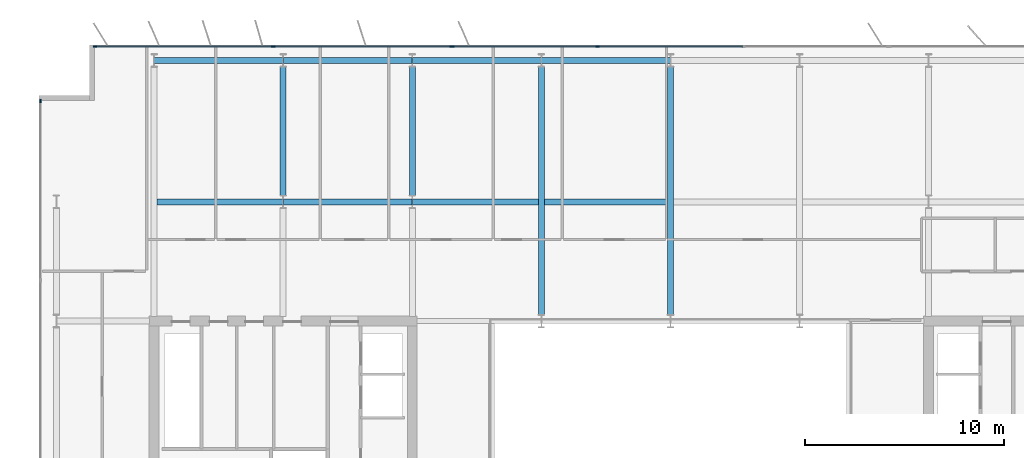
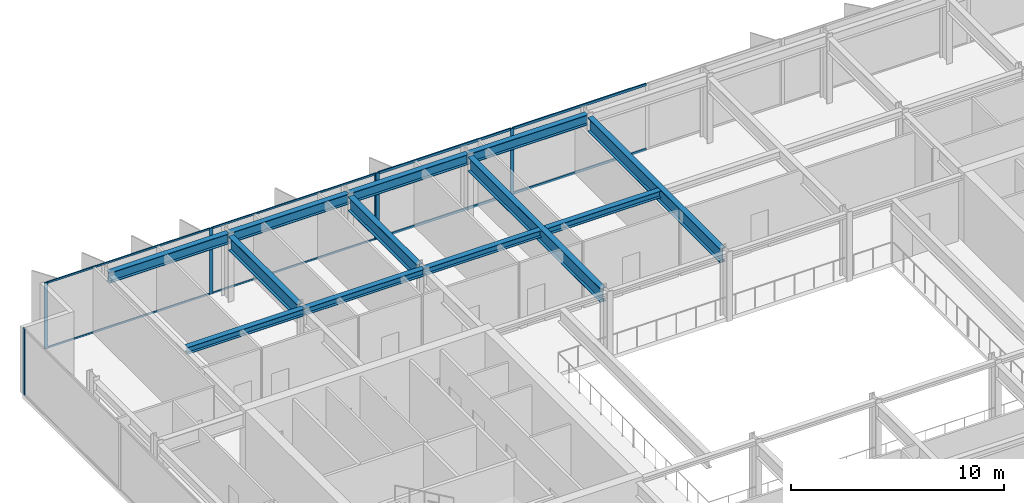
# One storey, part 8 of 20: 14 members, 12 beams, 3 elements without a shape of their own.
"""IFC4 building model written with IfcOpenShell, lengths in metres."""

from ifc_helpers import new_model, si_unit, direction, frame, origin, origin_2d, place, context, subcontext, project, spatial, rectangle, i_section, extrude, material, layer, layer_set, material_profile, profile_set, type_object, element, aggregate, save


model = new_model("IFC4")

# Units and contexts
model_context = context("Model", 3, precision=1e-05, world=origin(), true_north=direction((0.0, 1.0)))
body_context = subcontext(model_context, "Body", "Model", "MODEL_VIEW")
ifc_project = project(units=[si_unit("LENGTHUNIT", "METRE"), si_unit("AREAUNIT", "SQUARE_METRE"), si_unit("VOLUMEUNIT", "CUBIC_METRE"), si_unit("PLANEANGLEUNIT", "RADIAN"), si_unit("MASSUNIT", "GRAM", prefix="KILO")], contexts=[model_context])

# Site, building, storey
site_placement = place(None, origin())
site = spatial("IfcSite", under=ifc_project, at=site_placement, CompositionType="ELEMENT")
building_placement = place(site_placement, origin())
building = spatial("IfcBuilding", under=site, at=building_placement, Name="Putna Gate Headquarters", CompositionType="ELEMENT")
storey_placement = place(building_placement, frame((0.0, 0.0, 286.39990234375)))
storey = spatial("IfcBuildingStorey", under=building, at=storey_placement, Name="L72", CompositionType="ELEMENT", Elevation=286.39990234375)

# Beams
ifc_material_1 = material(Name="Steel S355J2", Category="steel")
ifc_material_profile_1 = material_profile(ifc_material_1, i_section(OverallWidth=0.300048828125, OverallDepth=0.800048828125, WebThickness=0.017578125, FlangeThickness=0.032958984375, at=origin_2d()), Name="Steel S355J2")
ifc_profile_set_1 = profile_set([ifc_material_profile_1], Name="Steel S355J2")
beam_type_1 = type_object("IfcBeamType", Name="BM-GIRD-P-HEB800", PredefinedType="USERDEFINED", material=ifc_profile_set_1)
for number, where, z_axis, x_axis, name in (
    (1, (19.5, 39.322021484375, 3.38818359375), (0.0, 1.0, 0.0), (-1.0, 0.0, 0.0), "L72 North Primary Girder X19-2"),
    (2, (26.0, 39.322021484375, 3.38818359375), (0.0, 1.0, 0.0), (-1.0, 0.0, 0.0), "L72 North Primary Girder X26-2"),
):
    element("IfcBeam", number, at=place(storey_placement, frame(where, z_axis=z_axis, x_axis=x_axis)), inside=storey, type_object=beam_type_1, Name=name, ObjectType="GIRDER", PredefinedType="USERDEFINED", context=body_context, shape_type="SweptSolid", body=[
        extrude(i_section(OverallWidth=0.300048828125, OverallDepth=0.800048828125, WebThickness=0.017578125, FlangeThickness=0.032958984375, at=origin_2d()), origin(), (0.0, 0.0, 1.0), 6.47607421875),
    ])
for number, where, z_axis, x_axis, name in (
    (3, (32.5, 33.322021484375, 3.38818359375), (0.0, 1.0, 0.0), (-1.0, 0.0, 0.0), "L72 North Primary Girder X32"),
    (4, (39.0, 33.322021484375, 3.38818359375), (0.0, 1.0, 0.0), (-1.0, 0.0, 0.0), "L72 North Primary Girder X39"),
):
    element("IfcBeam", number, at=place(storey_placement, frame(where, z_axis=z_axis, x_axis=x_axis)), inside=storey, type_object=beam_type_1, Name=name, ObjectType="GIRDER", PredefinedType="USERDEFINED", context=body_context, shape_type="SweptSolid", body=[
        extrude(i_section(OverallWidth=0.300048828125, OverallDepth=0.800048828125, WebThickness=0.017578125, FlangeThickness=0.032958984375, at=origin_2d()), origin(), (0.0, 0.0, 1.0), 12.47607421875),
    ])
ifc_material_profile_2 = material_profile(ifc_material_1, i_section(OverallWidth=0.300048828125, OverallDepth=0.389892578125, WebThickness=0.010986328125, FlangeThickness=0.01904296875, at=origin_2d()), Name="Steel S355J2")
ifc_profile_set_2 = profile_set([ifc_material_profile_2], Name="Steel S355J2")
beam_type_2 = type_object("IfcBeamType", Name="BM-SEC-Z5-HEA400", PredefinedType="BEAM", material=ifc_profile_set_2)
beam_1_placement = place(storey_placement, frame((13.154052734375, 39.0, 3.593017578125), z_axis=(1.0, 0.0, 0.0), x_axis=(0.0, 1.0, 0.0)))
element("IfcBeam", 5, at=beam_1_placement, inside=storey, type_object=beam_type_2, Name="L72 North Secondary Beam 1", PredefinedType="BEAM", context=body_context, shape_type="SweptSolid", body=[
    extrude(i_section(OverallWidth=0.300048828125, OverallDepth=0.389892578125, WebThickness=0.010986328125, FlangeThickness=0.01904296875, at=origin_2d()), origin(), (0.0, 0.0, 1.0), 6.33984375),
])
beam_2_placement = place(storey_placement, frame((19.506103515625, 39.0, 3.593017578125), z_axis=(1.0, 0.0, 0.0), x_axis=(0.0, 1.0, 0.0)))
element("IfcBeam", 6, at=beam_2_placement, inside=storey, type_object=beam_type_2, Name="L72 North Secondary Beam 2", PredefinedType="BEAM", context=body_context, shape_type="SweptSolid", body=[
    extrude(i_section(OverallWidth=0.300048828125, OverallDepth=0.389892578125, WebThickness=0.010986328125, FlangeThickness=0.01904296875, at=origin_2d()), origin(), (0.0, 0.0, 1.0), 6.48779296875),
])
beam_3_placement = place(storey_placement, frame((26.006103515625, 39.0, 3.593017578125), z_axis=(1.0, 0.0, 0.0), x_axis=(0.0, 1.0, 0.0)))
element("IfcBeam", 7, at=beam_3_placement, inside=storey, type_object=beam_type_2, Name="L72 North Secondary Beam 3", PredefinedType="BEAM", context=body_context, shape_type="SweptSolid", body=[
    extrude(i_section(OverallWidth=0.300048828125, OverallDepth=0.389892578125, WebThickness=0.010986328125, FlangeThickness=0.01904296875, at=origin_2d()), origin(), (0.0, 0.0, 1.0), 6.33984375),
])
beam_4_placement = place(storey_placement, frame((32.654052734375, 39.0, 3.593017578125), z_axis=(1.0, 0.0, 0.0), x_axis=(0.0, 1.0, 0.0)))
element("IfcBeam", 8, at=beam_4_placement, inside=storey, type_object=beam_type_2, Name="L72 North Secondary Beam 4", PredefinedType="BEAM", context=body_context, shape_type="SweptSolid", body=[
    extrude(i_section(OverallWidth=0.300048828125, OverallDepth=0.389892578125, WebThickness=0.010986328125, FlangeThickness=0.01904296875, at=origin_2d()), origin(), (0.0, 0.0, 1.0), 6.19189453125),
])
ifc_material_profile_3 = material_profile(ifc_material_1, i_section(OverallWidth=0.300048828125, OverallDepth=0.590087890625, WebThickness=0.012939453125, FlangeThickness=0.02490234375, at=origin_2d()), Name="Steel S355J2")
ifc_profile_set_3 = profile_set([ifc_material_profile_3], Name="Steel S355J2")
beam_type_3 = type_object("IfcBeamType", Name="BM-SPAN-Z4-HEA600", PredefinedType="SPANDREL", material=ifc_profile_set_3)
for number, where, z_axis, x_axis, name in (
    (9, (13.006103515625, 46.1201171875, 3.4931640625), (1.0, 0.0, 0.0), (0.0, 1.0, 0.0), "L72 N Perimeter Spandrel 1"),
    (10, (19.506103515625, 46.1201171875, 3.4931640625), (1.0, 0.0, 0.0), (0.0, 1.0, 0.0), "L72 N Perimeter Spandrel 2"),
    (11, (26.006103515625, 46.1201171875, 3.4931640625), (1.0, 0.0, 0.0), (0.0, 1.0, 0.0), "L72 N Perimeter Spandrel 3"),
    (12, (32.506103515625, 46.1201171875, 3.4931640625), (1.0, 0.0, 0.0), (0.0, 1.0, 0.0), "L72 N Perimeter Spandrel 4"),
):
    element("IfcBeam", number, at=place(storey_placement, frame(where, z_axis=z_axis, x_axis=x_axis)), inside=storey, type_object=beam_type_3, Name=name, PredefinedType="SPANDREL", context=body_context, shape_type="SweptSolid", body=[
        extrude(i_section(OverallWidth=0.300048828125, OverallDepth=0.590087890625, WebThickness=0.012939453125, FlangeThickness=0.02490234375, at=origin_2d()), origin(), (0.0, 0.0, 1.0), 6.48779296875),
    ])

# Curtain wall, members
ifc_material_2 = material(Name="Anodised bronze aluminium curtain wall", Category="aluminium")
ifc_layer_1 = layer(ifc_material_2, 0.179931640625)
ifc_layer_set_1 = layer_set([ifc_layer_1], Name="Anodised bronze aluminium curtain wall")
curtain_wall_type_1 = type_object("IfcCurtainWallType", Name="CW-SYS-Z5", PredefinedType="USERDEFINED", material=ifc_layer_set_1)
curtain_wall_1_placement = place(storey_placement, origin())
curtain_wall_1 = element("IfcCurtainWall", 13, at=curtain_wall_1_placement, inside=storey, type_object=curtain_wall_type_1, Name="L72 North West Curtain Wall", ObjectType="STICK CURTAIN WALL", PredefinedType="USERDEFINED")
ifc_material_3 = material(Name="Anodised bronze aluminium EN AW-6060", Category="aluminium")
ifc_material_profile_4 = material_profile(ifc_material_3, rectangle(XDim=0.070068359375, YDim=0.179931640625, at=origin_2d()), Name="Anodised bronze aluminium EN AW-6060")
ifc_profile_set_4 = profile_set([ifc_material_profile_4], Name="Anodised bronze aluminium EN AW-6060")
member_type_1 = type_object("IfcMemberType", Name="MULL-CWM-5", PredefinedType="MULLION", material=ifc_profile_set_4)
member_1_placement = place(storey_placement, frame((10.034912109375, 46.820068359375, 0.0), z_axis=(0.0, 0.0, 1.0), x_axis=(0.0, 1.0, 0.0)))
member_1 = element("IfcMember", 14, at=member_1_placement, type_object=member_type_1, Name="CWS-5 mullion 1", PredefinedType="MULLION", context=body_context, shape_type="SweptSolid", body=[
    extrude(rectangle(XDim=0.070068359375, YDim=0.179931640625, at=origin_2d()), origin(), (0.0, 0.0, 1.0), 3.7880859375),
])
member_2_placement = place(storey_placement, frame((19.0, 46.820068359375, 0.0), z_axis=(0.0, 0.0, 1.0), x_axis=(0.0, 1.0, 0.0)))
member_2 = element("IfcMember", 15, at=member_2_placement, type_object=member_type_1, Name="CWS-5 mullion 2", PredefinedType="MULLION", context=body_context, shape_type="SweptSolid", body=[
    extrude(rectangle(XDim=0.070068359375, YDim=0.179931640625, at=origin_2d()), origin(), (0.0, 0.0, 1.0), 3.7880859375),
])
member_3_placement = place(storey_placement, frame((27.965087890625, 46.820068359375, 0.0), z_axis=(0.0, 0.0, 1.0), x_axis=(0.0, 1.0, 0.0)))
member_3 = element("IfcMember", 16, at=member_3_placement, type_object=member_type_1, Name="CWS-5 mullion 3", PredefinedType="MULLION", context=body_context, shape_type="SweptSolid", body=[
    extrude(rectangle(XDim=0.070068359375, YDim=0.179931640625, at=origin_2d()), origin(), (0.0, 0.0, 1.0), 3.7880859375),
])

# Curtain wall, member
curtain_wall_2_placement = place(storey_placement, origin())
curtain_wall_2 = element("IfcCurtainWall", 17, at=curtain_wall_2_placement, inside=storey, type_object=curtain_wall_type_1, Name="L72 West Curtain Wall", ObjectType="STICK CURTAIN WALL", PredefinedType="USERDEFINED")
member_4_placement = place(storey_placement, frame((7.280029296875, 44.06494140625, 0.0), z_axis=(0.0, 0.0, 1.0), x_axis=(-1.0, 0.0, 0.0)))
member_4 = element("IfcMember", 18, at=member_4_placement, type_object=member_type_1, Name="CWS-5 mullion 5", PredefinedType="MULLION", context=body_context, shape_type="SweptSolid", body=[
    extrude(rectangle(XDim=0.070068359375, YDim=0.179931640625, at=origin_2d()), origin(), (0.0, 0.0, 1.0), 3.7880859375),
])
aggregate(curtain_wall_2, [member_4])

# Curtain wall, members
ifc_layer_2 = layer(ifc_material_2, 0.179931640625)
ifc_layer_set_2 = layer_set([ifc_layer_2], Name="Anodised bronze aluminium curtain wall")
curtain_wall_type_2 = type_object("IfcCurtainWallType", Name="CW-SYS-ATR", PredefinedType="USERDEFINED", material=ifc_layer_set_2)
curtain_wall_3_placement = place(storey_placement, origin())
curtain_wall_3 = element("IfcCurtainWall", 19, at=curtain_wall_3_placement, inside=storey, type_object=curtain_wall_type_2, Name="L72 North Atrium Clear Glazing", ObjectType="ATRIUM GLAZING", PredefinedType="USERDEFINED")
ifc_material_profile_5 = material_profile(ifc_material_3, rectangle(XDim=0.070068359375, YDim=0.179931640625, at=origin_2d()), Name="Anodised bronze aluminium EN AW-6060")
ifc_profile_set_5 = profile_set([ifc_material_profile_5], Name="Anodised bronze aluminium EN AW-6060")
member_type_2 = type_object("IfcMemberType", Name="MULL-CWM-AT", PredefinedType="MULLION", material=ifc_profile_set_5)
member_5_placement = place(storey_placement, frame((28.034912109375, 46.820068359375, 0.0), z_axis=(0.0, 0.0, 1.0), x_axis=(0.0, 1.0, 0.0)))
member_5 = element("IfcMember", 20, at=member_5_placement, type_object=member_type_2, Name="CWS-AT mullion 1", PredefinedType="MULLION", context=body_context, shape_type="SweptSolid", body=[
    extrude(rectangle(XDim=0.070068359375, YDim=0.179931640625, at=origin_2d()), origin(), (0.0, 0.0, 1.0), 3.7880859375),
])
member_6_placement = place(storey_placement, frame((35.333251953125, 46.820068359375, 0.0), z_axis=(0.0, 0.0, 1.0), x_axis=(0.0, 1.0, 0.0)))
member_6 = element("IfcMember", 21, at=member_6_placement, type_object=member_type_2, Name="CWS-AT mullion 2", PredefinedType="MULLION", context=body_context, shape_type="SweptSolid", body=[
    extrude(rectangle(XDim=0.070068359375, YDim=0.179931640625, at=origin_2d()), origin(), (0.0, 0.0, 1.0), 3.7880859375),
])

# Member
ifc_material_profile_6 = material_profile(ifc_material_3, rectangle(XDim=0.06005859375, YDim=0.10009765625, at=origin_2d()), Name="Anodised bronze aluminium EN AW-6060")
ifc_profile_set_6 = profile_set([ifc_material_profile_6], Name="Anodised bronze aluminium EN AW-6060")
member_type_3 = type_object("IfcMemberType", Name="TRAN-CWT-5", PredefinedType="USERDEFINED", material=ifc_profile_set_6)
member_7_placement = place(storey_placement, frame((10.070068359375, 46.820068359375, 0.030029296875), z_axis=(1.0, 0.0, 0.0), x_axis=(0.0, 1.0, 0.0)))
member_7 = element("IfcMember", 22, at=member_7_placement, type_object=member_type_3, Name="CWS-5 transom 1.1", ObjectType="TRANSOM", PredefinedType="USERDEFINED", context=body_context, shape_type="SweptSolid", body=[
    extrude(rectangle(XDim=0.06005859375, YDim=0.10009765625, at=origin_2d()), origin(), (0.0, 0.0, 1.0), 8.89501953125),
])

member_8_placement = place(storey_placement, frame((10.070068359375, 46.820068359375, 3.758056640625), z_axis=(1.0, 0.0, 0.0), x_axis=(0.0, 1.0, 0.0)))
member_8 = element("IfcMember", 23, at=member_8_placement, type_object=member_type_3, Name="CWS-5 transom 1.2", ObjectType="TRANSOM", PredefinedType="USERDEFINED", context=body_context, shape_type="SweptSolid", body=[
    extrude(rectangle(XDim=0.06005859375, YDim=0.10009765625, at=origin_2d()), origin(), (0.0, 0.0, 1.0), 8.89501953125),
])

member_9_placement = place(storey_placement, frame((19.034912109375, 46.820068359375, 0.030029296875), z_axis=(1.0, 0.0, 0.0), x_axis=(0.0, 1.0, 0.0)))
member_9 = element("IfcMember", 24, at=member_9_placement, type_object=member_type_3, Name="CWS-5 transom 2.1", ObjectType="TRANSOM", PredefinedType="USERDEFINED", context=body_context, shape_type="SweptSolid", body=[
    extrude(rectangle(XDim=0.06005859375, YDim=0.10009765625, at=origin_2d()), origin(), (0.0, 0.0, 1.0), 8.89501953125),
])

member_10_placement = place(storey_placement, frame((19.034912109375, 46.820068359375, 3.758056640625), z_axis=(1.0, 0.0, 0.0), x_axis=(0.0, 1.0, 0.0)))
member_10 = element("IfcMember", 25, at=member_10_placement, type_object=member_type_3, Name="CWS-5 transom 2.2", ObjectType="TRANSOM", PredefinedType="USERDEFINED", context=body_context, shape_type="SweptSolid", body=[
    extrude(rectangle(XDim=0.06005859375, YDim=0.10009765625, at=origin_2d()), origin(), (0.0, 0.0, 1.0), 8.89501953125),
])

aggregate(curtain_wall_1, [member_1, member_2, member_3, member_7, member_8, member_9, member_10])

ifc_material_profile_7 = material_profile(ifc_material_3, rectangle(XDim=0.070068359375, YDim=0.139892578125, at=origin_2d()), Name="Anodised bronze aluminium EN AW-6060")
ifc_profile_set_7 = profile_set([ifc_material_profile_7], Name="Anodised bronze aluminium EN AW-6060")
member_type_4 = type_object("IfcMemberType", Name="TRAN-CWT-AT", PredefinedType="USERDEFINED", material=ifc_profile_set_7)
member_11_placement = place(storey_placement, frame((28.070068359375, 46.820068359375, 0.03515625), z_axis=(1.0, 0.0, 0.0), x_axis=(0.0, 1.0, 0.0)))
member_11 = element("IfcMember", 26, at=member_11_placement, type_object=member_type_4, Name="CWS-AT transom 1.1", ObjectType="TRANSOM", PredefinedType="USERDEFINED", context=body_context, shape_type="SweptSolid", body=[
    extrude(rectangle(XDim=0.070068359375, YDim=0.139892578125, at=origin_2d()), origin(), (0.0, 0.0, 1.0), 7.228271484375),
])

member_12_placement = place(storey_placement, frame((28.070068359375, 46.820068359375, 3.753173828125), z_axis=(1.0, 0.0, 0.0), x_axis=(0.0, 1.0, 0.0)))
member_12 = element("IfcMember", 27, at=member_12_placement, type_object=member_type_4, Name="CWS-AT transom 1.2", ObjectType="TRANSOM", PredefinedType="USERDEFINED", context=body_context, shape_type="SweptSolid", body=[
    extrude(rectangle(XDim=0.070068359375, YDim=0.139892578125, at=origin_2d()), origin(), (0.0, 0.0, 1.0), 7.228271484375),
])

member_13_placement = place(storey_placement, frame((35.368408203125, 46.820068359375, 0.03515625), z_axis=(1.0, 0.0, 0.0), x_axis=(0.0, 1.0, 0.0)))
member_13 = element("IfcMember", 28, at=member_13_placement, type_object=member_type_4, Name="CWS-AT transom 2.1", ObjectType="TRANSOM", PredefinedType="USERDEFINED", context=body_context, shape_type="SweptSolid", body=[
    extrude(rectangle(XDim=0.070068359375, YDim=0.139892578125, at=origin_2d()), origin(), (0.0, 0.0, 1.0), 7.26318359375),
])

member_14_placement = place(storey_placement, frame((35.368408203125, 46.820068359375, 3.753173828125), z_axis=(1.0, 0.0, 0.0), x_axis=(0.0, 1.0, 0.0)))
member_14 = element("IfcMember", 29, at=member_14_placement, type_object=member_type_4, Name="CWS-AT transom 2.2", ObjectType="TRANSOM", PredefinedType="USERDEFINED", context=body_context, shape_type="SweptSolid", body=[
    extrude(rectangle(XDim=0.070068359375, YDim=0.139892578125, at=origin_2d()), origin(), (0.0, 0.0, 1.0), 7.26318359375),
])

aggregate(curtain_wall_3, [member_5, member_6, member_11, member_12, member_13, member_14])

save(model, "model.ifc")
